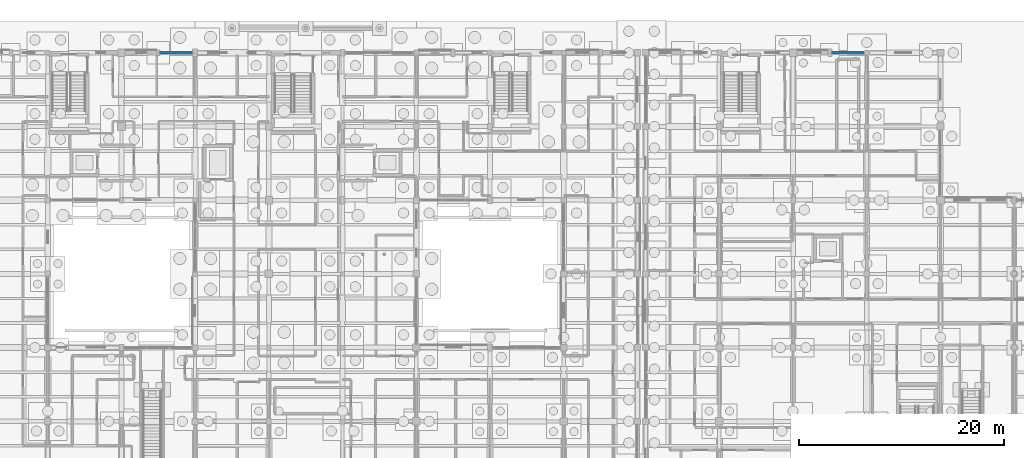
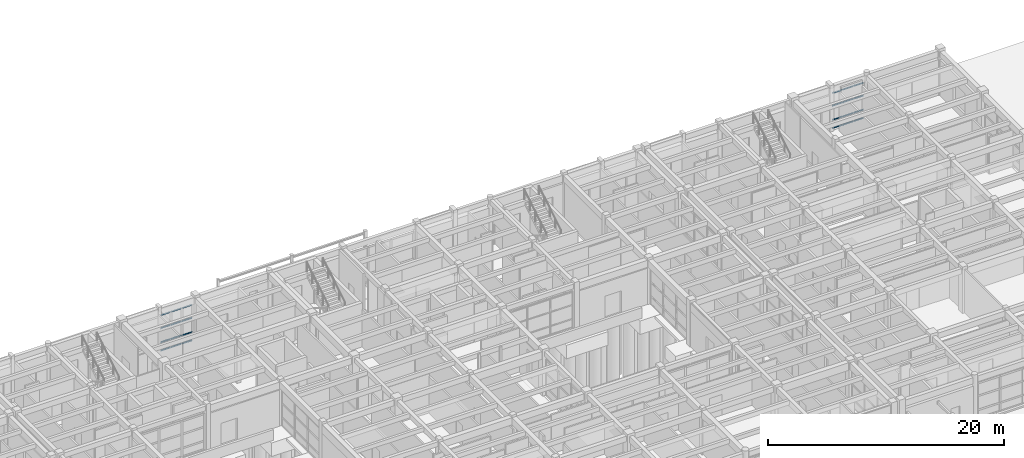
# One storey, part 77 of 143: 24 members, 2 elements without a shape of their own.
"""IFC4 building model written with IfcOpenShell, lengths in metres."""

from ifc_helpers import new_model, si_unit, direction, frame, origin, origin_2d, place, context, subcontext, project, spatial, rectangle, extrude, material, material_profile, profile_set, type_object, element, aggregate, save


model = new_model("IFC4")

# Units and contexts
model_context = context("Model", 3, precision=1e-05, world=origin(), true_north=direction((0.0, 1.0)))
body_context = subcontext(model_context, "Body", "Model", "MODEL_VIEW")
ifc_project = project(units=[si_unit("LENGTHUNIT", "METRE"), si_unit("AREAUNIT", "SQUARE_METRE"), si_unit("VOLUMEUNIT", "CUBIC_METRE"), si_unit("PLANEANGLEUNIT", "RADIAN"), si_unit("MASSUNIT", "GRAM", prefix="KILO")], contexts=[model_context])

# Site, building, storey
site_placement = place(None, origin())
site = spatial("IfcSite", under=ifc_project, at=site_placement, CompositionType="ELEMENT")
building_placement = place(site_placement, origin())
building = spatial("IfcBuilding", under=site, at=building_placement, Name="Steenspoor Specialist Clinic", CompositionType="ELEMENT")
storey_placement = place(building_placement, origin())
storey = spatial("IfcBuildingStorey", under=building, at=storey_placement, Name="L00", CompositionType="ELEMENT", Elevation=0.0)

# Curtain wall, members
ifc_material_1 = material(Name="Thermally broken aluminium and low-emissivity glass", Category="aluminium")
curtain_wall_type = type_object("IfcCurtainWallType", Name="CW-STR-220X415", PredefinedType="USERDEFINED", material=ifc_material_1)
curtain_wall_1_placement = place(storey_placement, origin())
curtain_wall_1 = element("IfcCurtainWall", 1, at=curtain_wall_1_placement, inside=storey, type_object=curtain_wall_type, Name="Unitised Curtain Wall CW-V4-L00-048", ObjectType="UNITISED GLAZING", PredefinedType="USERDEFINED")
ifc_material_2 = material(Name="Thermally broken aluminium 6063-T6", Category="aluminium")
ifc_material_profile = material_profile(ifc_material_2, rectangle(XDim=0.06005859375, YDim=0.114990234375, at=origin_2d()), Name="CWT-60X115")
ifc_profile_set = profile_set([ifc_material_profile], Name="Thermally broken aluminium 6063-T6")
member_type = type_object("IfcMemberType", Name="CW-TRAN-60X115", PredefinedType="USERDEFINED", material=ifc_profile_set)
member_1_placement = place(storey_placement, frame((70.6201171875, 108.35009765625, 0.030029296875), z_axis=(1.0, 0.0, 0.0), x_axis=(0.0, 1.0, 0.0)))
member_1 = element("IfcMember", 2, at=member_1_placement, type_object=member_type, Name="CW-24 transom 1.1", ObjectType="TRANSOM", PredefinedType="USERDEFINED", context=body_context, shape_type="SweptSolid", body=[
    extrude(rectangle(XDim=0.06005859375, YDim=0.114990234375, at=origin_2d()), origin(), (0.0, 0.0, 1.0), 0.949951171875),
])
member_2_placement = place(storey_placement, frame((70.6201171875, 108.35009765625, 0.89990234375), z_axis=(1.0, 0.0, 0.0), x_axis=(0.0, 1.0, 0.0)))
member_2 = element("IfcMember", 3, at=member_2_placement, type_object=member_type, Name="CW-24 transom 1.2", ObjectType="TRANSOM", PredefinedType="USERDEFINED", context=body_context, shape_type="SweptSolid", body=[
    extrude(rectangle(XDim=0.06005859375, YDim=0.114990234375, at=origin_2d()), origin(), (0.0, 0.0, 1.0), 0.949951171875),
])
member_3_placement = place(storey_placement, frame((70.6201171875, 108.35009765625, 2.35009765625), z_axis=(1.0, 0.0, 0.0), x_axis=(0.0, 1.0, 0.0)))
member_3 = element("IfcMember", 4, at=member_3_placement, type_object=member_type, Name="CW-24 transom 1.3", ObjectType="TRANSOM", PredefinedType="USERDEFINED", context=body_context, shape_type="SweptSolid", body=[
    extrude(rectangle(XDim=0.06005859375, YDim=0.114990234375, at=origin_2d()), origin(), (0.0, 0.0, 1.0), 0.949951171875),
])
member_4_placement = place(storey_placement, frame((70.6201171875, 108.35009765625, 3.699951171875), z_axis=(1.0, 0.0, 0.0), x_axis=(0.0, 1.0, 0.0)))
member_4 = element("IfcMember", 5, at=member_4_placement, type_object=member_type, Name="CW-24 transom 1.4", ObjectType="TRANSOM", PredefinedType="USERDEFINED", context=body_context, shape_type="SweptSolid", body=[
    extrude(rectangle(XDim=0.06005859375, YDim=0.114990234375, at=origin_2d()), origin(), (0.0, 0.0, 1.0), 0.949951171875),
])
member_5_placement = place(storey_placement, frame((71.64990234375, 108.35009765625, 0.030029296875), z_axis=(1.0, 0.0, 0.0), x_axis=(0.0, 1.0, 0.0)))
member_5 = element("IfcMember", 6, at=member_5_placement, type_object=member_type, Name="CW-24 transom 2.1", ObjectType="TRANSOM", PredefinedType="USERDEFINED", context=body_context, shape_type="SweptSolid", body=[
    extrude(rectangle(XDim=0.06005859375, YDim=0.114990234375, at=origin_2d()), origin(), (0.0, 0.0, 1.0), 0.989990234375),
])
member_6_placement = place(storey_placement, frame((71.64990234375, 108.35009765625, 0.89990234375), z_axis=(1.0, 0.0, 0.0), x_axis=(0.0, 1.0, 0.0)))
member_6 = element("IfcMember", 7, at=member_6_placement, type_object=member_type, Name="CW-24 transom 2.2", ObjectType="TRANSOM", PredefinedType="USERDEFINED", context=body_context, shape_type="SweptSolid", body=[
    extrude(rectangle(XDim=0.06005859375, YDim=0.114990234375, at=origin_2d()), origin(), (0.0, 0.0, 1.0), 0.989990234375),
])
member_7_placement = place(storey_placement, frame((71.64990234375, 108.35009765625, 2.35009765625), z_axis=(1.0, 0.0, 0.0), x_axis=(0.0, 1.0, 0.0)))
member_7 = element("IfcMember", 8, at=member_7_placement, type_object=member_type, Name="CW-24 transom 2.3", ObjectType="TRANSOM", PredefinedType="USERDEFINED", context=body_context, shape_type="SweptSolid", body=[
    extrude(rectangle(XDim=0.06005859375, YDim=0.114990234375, at=origin_2d()), origin(), (0.0, 0.0, 1.0), 0.989990234375),
])
member_8_placement = place(storey_placement, frame((71.64990234375, 108.35009765625, 3.699951171875), z_axis=(1.0, 0.0, 0.0), x_axis=(0.0, 1.0, 0.0)))
member_8 = element("IfcMember", 9, at=member_8_placement, type_object=member_type, Name="CW-24 transom 2.4", ObjectType="TRANSOM", PredefinedType="USERDEFINED", context=body_context, shape_type="SweptSolid", body=[
    extrude(rectangle(XDim=0.06005859375, YDim=0.114990234375, at=origin_2d()), origin(), (0.0, 0.0, 1.0), 0.989990234375),
])
member_9_placement = place(storey_placement, frame((72.719970703125, 108.35009765625, 0.030029296875), z_axis=(1.0, 0.0, 0.0), x_axis=(0.0, 1.0, 0.0)))
member_9 = element("IfcMember", 10, at=member_9_placement, type_object=member_type, Name="CW-24 transom 3.1", ObjectType="TRANSOM", PredefinedType="USERDEFINED", context=body_context, shape_type="SweptSolid", body=[
    extrude(rectangle(XDim=0.06005859375, YDim=0.114990234375, at=origin_2d()), origin(), (0.0, 0.0, 1.0), 0.949951171875),
])
member_10_placement = place(storey_placement, frame((72.719970703125, 108.35009765625, 0.89990234375), z_axis=(1.0, 0.0, 0.0), x_axis=(0.0, 1.0, 0.0)))
member_10 = element("IfcMember", 11, at=member_10_placement, type_object=member_type, Name="CW-24 transom 3.2", ObjectType="TRANSOM", PredefinedType="USERDEFINED", context=body_context, shape_type="SweptSolid", body=[
    extrude(rectangle(XDim=0.06005859375, YDim=0.114990234375, at=origin_2d()), origin(), (0.0, 0.0, 1.0), 0.949951171875),
])
member_11_placement = place(storey_placement, frame((72.719970703125, 108.35009765625, 2.35009765625), z_axis=(1.0, 0.0, 0.0), x_axis=(0.0, 1.0, 0.0)))
member_11 = element("IfcMember", 12, at=member_11_placement, type_object=member_type, Name="CW-24 transom 3.3", ObjectType="TRANSOM", PredefinedType="USERDEFINED", context=body_context, shape_type="SweptSolid", body=[
    extrude(rectangle(XDim=0.06005859375, YDim=0.114990234375, at=origin_2d()), origin(), (0.0, 0.0, 1.0), 0.949951171875),
])
member_12_placement = place(storey_placement, frame((72.719970703125, 108.35009765625, 3.699951171875), z_axis=(1.0, 0.0, 0.0), x_axis=(0.0, 1.0, 0.0)))
member_12 = element("IfcMember", 13, at=member_12_placement, type_object=member_type, Name="CW-24 transom 3.4", ObjectType="TRANSOM", PredefinedType="USERDEFINED", context=body_context, shape_type="SweptSolid", body=[
    extrude(rectangle(XDim=0.06005859375, YDim=0.114990234375, at=origin_2d()), origin(), (0.0, 0.0, 1.0), 0.949951171875),
])
aggregate(curtain_wall_1, [member_1, member_2, member_3, member_4, member_5, member_6, member_7, member_8, member_9, member_10, member_11, member_12])

curtain_wall_2_placement = place(storey_placement, origin())
curtain_wall_2 = element("IfcCurtainWall", 14, at=curtain_wall_2_placement, inside=storey, type_object=curtain_wall_type, Name="Unitised Curtain Wall CW-V6-L00-168", ObjectType="UNITISED GLAZING", PredefinedType="USERDEFINED")
member_13_placement = place(storey_placement, frame((136.27001953125, 108.35009765625, 0.030029296875), z_axis=(1.0, 0.0, 0.0), x_axis=(0.0, 1.0, 0.0)))
member_13 = element("IfcMember", 15, at=member_13_placement, type_object=member_type, Name="CW-24 transom 1.1", ObjectType="TRANSOM", PredefinedType="USERDEFINED", context=body_context, shape_type="SweptSolid", body=[
    extrude(rectangle(XDim=0.06005859375, YDim=0.114990234375, at=origin_2d()), origin(), (0.0, 0.0, 1.0), 0.933349609375),
])
member_14_placement = place(storey_placement, frame((136.27001953125, 108.35009765625, 0.89990234375), z_axis=(1.0, 0.0, 0.0), x_axis=(0.0, 1.0, 0.0)))
member_14 = element("IfcMember", 16, at=member_14_placement, type_object=member_type, Name="CW-24 transom 1.2", ObjectType="TRANSOM", PredefinedType="USERDEFINED", context=body_context, shape_type="SweptSolid", body=[
    extrude(rectangle(XDim=0.06005859375, YDim=0.114990234375, at=origin_2d()), origin(), (0.0, 0.0, 1.0), 0.933349609375),
])
member_15_placement = place(storey_placement, frame((136.27001953125, 108.35009765625, 2.35009765625), z_axis=(1.0, 0.0, 0.0), x_axis=(0.0, 1.0, 0.0)))
member_15 = element("IfcMember", 17, at=member_15_placement, type_object=member_type, Name="CW-24 transom 1.3", ObjectType="TRANSOM", PredefinedType="USERDEFINED", context=body_context, shape_type="SweptSolid", body=[
    extrude(rectangle(XDim=0.06005859375, YDim=0.114990234375, at=origin_2d()), origin(), (0.0, 0.0, 1.0), 0.933349609375),
])
member_16_placement = place(storey_placement, frame((136.27001953125, 108.35009765625, 3.669921875), z_axis=(1.0, 0.0, 0.0), x_axis=(0.0, 1.0, 0.0)))
member_16 = element("IfcMember", 18, at=member_16_placement, type_object=member_type, Name="CW-24 transom 1.4", ObjectType="TRANSOM", PredefinedType="USERDEFINED", context=body_context, shape_type="SweptSolid", body=[
    extrude(rectangle(XDim=0.06005859375, YDim=0.114990234375, at=origin_2d()), origin(), (0.0, 0.0, 1.0), 0.933349609375),
])
member_17_placement = place(storey_placement, frame((137.283447265625, 108.35009765625, 0.030029296875), z_axis=(1.0, 0.0, 0.0), x_axis=(0.0, 1.0, 0.0)))
member_17 = element("IfcMember", 19, at=member_17_placement, type_object=member_type, Name="CW-24 transom 2.1", ObjectType="TRANSOM", PredefinedType="USERDEFINED", context=body_context, shape_type="SweptSolid", body=[
    extrude(rectangle(XDim=0.06005859375, YDim=0.114990234375, at=origin_2d()), origin(), (0.0, 0.0, 1.0), 0.97314453125),
])
member_18_placement = place(storey_placement, frame((137.283447265625, 108.35009765625, 0.89990234375), z_axis=(1.0, 0.0, 0.0), x_axis=(0.0, 1.0, 0.0)))
member_18 = element("IfcMember", 20, at=member_18_placement, type_object=member_type, Name="CW-24 transom 2.2", ObjectType="TRANSOM", PredefinedType="USERDEFINED", context=body_context, shape_type="SweptSolid", body=[
    extrude(rectangle(XDim=0.06005859375, YDim=0.114990234375, at=origin_2d()), origin(), (0.0, 0.0, 1.0), 0.97314453125),
])
member_19_placement = place(storey_placement, frame((137.283447265625, 108.35009765625, 2.35009765625), z_axis=(1.0, 0.0, 0.0), x_axis=(0.0, 1.0, 0.0)))
member_19 = element("IfcMember", 21, at=member_19_placement, type_object=member_type, Name="CW-24 transom 2.3", ObjectType="TRANSOM", PredefinedType="USERDEFINED", context=body_context, shape_type="SweptSolid", body=[
    extrude(rectangle(XDim=0.06005859375, YDim=0.114990234375, at=origin_2d()), origin(), (0.0, 0.0, 1.0), 0.97314453125),
])
member_20_placement = place(storey_placement, frame((137.283447265625, 108.35009765625, 3.669921875), z_axis=(1.0, 0.0, 0.0), x_axis=(0.0, 1.0, 0.0)))
member_20 = element("IfcMember", 22, at=member_20_placement, type_object=member_type, Name="CW-24 transom 2.4", ObjectType="TRANSOM", PredefinedType="USERDEFINED", context=body_context, shape_type="SweptSolid", body=[
    extrude(rectangle(XDim=0.06005859375, YDim=0.114990234375, at=origin_2d()), origin(), (0.0, 0.0, 1.0), 0.97314453125),
])
member_21_placement = place(storey_placement, frame((138.336669921875, 108.35009765625, 0.030029296875), z_axis=(1.0, 0.0, 0.0), x_axis=(0.0, 1.0, 0.0)))
member_21 = element("IfcMember", 23, at=member_21_placement, type_object=member_type, Name="CW-24 transom 3.1", ObjectType="TRANSOM", PredefinedType="USERDEFINED", context=body_context, shape_type="SweptSolid", body=[
    extrude(rectangle(XDim=0.06005859375, YDim=0.114990234375, at=origin_2d()), origin(), (0.0, 0.0, 1.0), 0.933349609375),
])
member_22_placement = place(storey_placement, frame((138.336669921875, 108.35009765625, 0.89990234375), z_axis=(1.0, 0.0, 0.0), x_axis=(0.0, 1.0, 0.0)))
member_22 = element("IfcMember", 24, at=member_22_placement, type_object=member_type, Name="CW-24 transom 3.2", ObjectType="TRANSOM", PredefinedType="USERDEFINED", context=body_context, shape_type="SweptSolid", body=[
    extrude(rectangle(XDim=0.06005859375, YDim=0.114990234375, at=origin_2d()), origin(), (0.0, 0.0, 1.0), 0.933349609375),
])
member_23_placement = place(storey_placement, frame((138.336669921875, 108.35009765625, 2.35009765625), z_axis=(1.0, 0.0, 0.0), x_axis=(0.0, 1.0, 0.0)))
member_23 = element("IfcMember", 25, at=member_23_placement, type_object=member_type, Name="CW-24 transom 3.3", ObjectType="TRANSOM", PredefinedType="USERDEFINED", context=body_context, shape_type="SweptSolid", body=[
    extrude(rectangle(XDim=0.06005859375, YDim=0.114990234375, at=origin_2d()), origin(), (0.0, 0.0, 1.0), 0.933349609375),
])
member_24_placement = place(storey_placement, frame((138.336669921875, 108.35009765625, 3.669921875), z_axis=(1.0, 0.0, 0.0), x_axis=(0.0, 1.0, 0.0)))
member_24 = element("IfcMember", 26, at=member_24_placement, type_object=member_type, Name="CW-24 transom 3.4", ObjectType="TRANSOM", PredefinedType="USERDEFINED", context=body_context, shape_type="SweptSolid", body=[
    extrude(rectangle(XDim=0.06005859375, YDim=0.114990234375, at=origin_2d()), origin(), (0.0, 0.0, 1.0), 0.933349609375),
])
aggregate(curtain_wall_2, [member_13, member_14, member_15, member_16, member_17, member_18, member_19, member_20, member_21, member_22, member_23, member_24])

save(model, "model.ifc")
